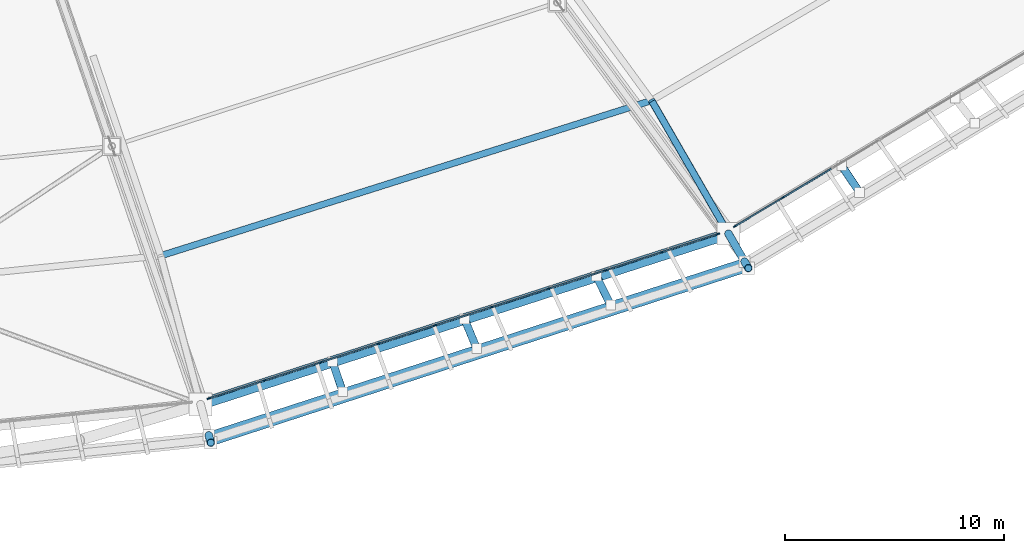
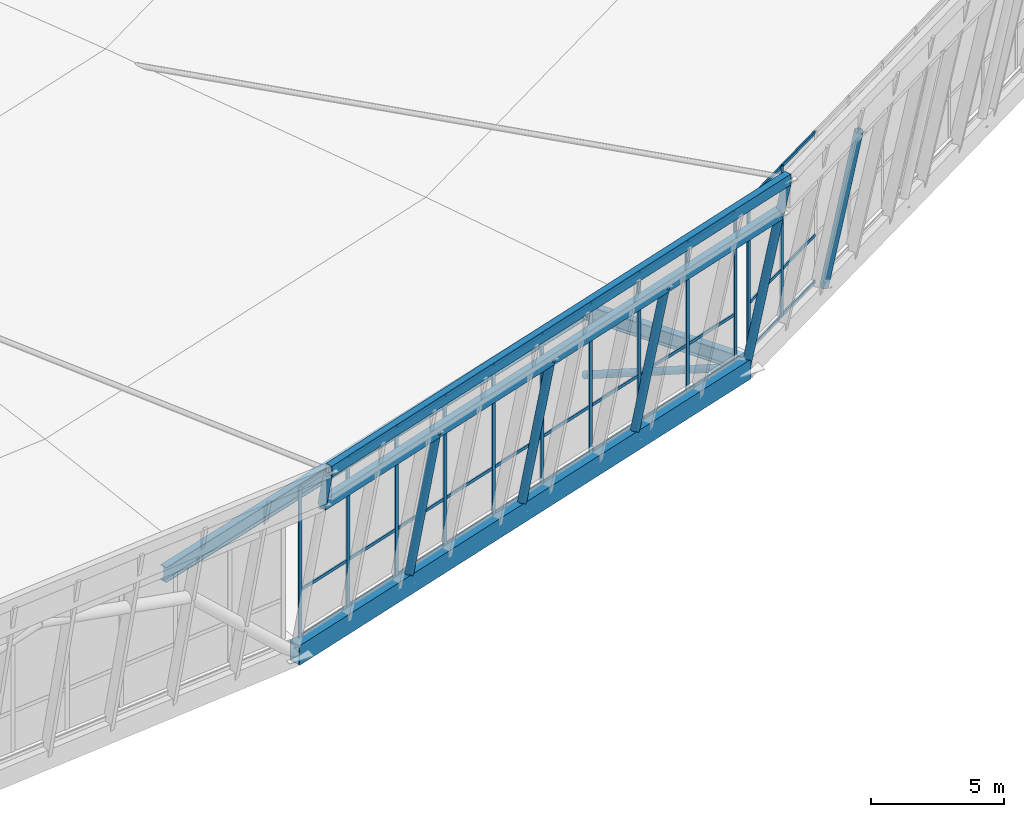
# One storey, part 35 of 115: 53 members, 5 beams, 2 elements without a shape of their own.
"""IFC4 building model written with IfcOpenShell, lengths in metres."""

from ifc_helpers import new_model, si_unit, direction, frame, origin, origin_2d, place, context, subcontext, project, spatial, rectangle, hollow_rectangle, hollow_circle, i_section, extrude, material, material_profile, profile_set, type_object, element, aggregate, save


model = new_model("IFC4")

# Units and contexts
model_context = context("Model", 3, precision=1e-05, world=origin(), true_north=direction((0.0, 1.0)))
body_context = subcontext(model_context, "Body", "Model", "MODEL_VIEW")
ifc_project = project(units=[si_unit("LENGTHUNIT", "METRE"), si_unit("AREAUNIT", "SQUARE_METRE"), si_unit("VOLUMEUNIT", "CUBIC_METRE"), si_unit("PLANEANGLEUNIT", "RADIAN"), si_unit("MASSUNIT", "GRAM", prefix="KILO")], contexts=[model_context])

# Site, building, storey
site_placement = place(None, origin())
site = spatial("IfcSite", under=ifc_project, at=site_placement, CompositionType="ELEMENT")
building_placement = place(site_placement, origin())
building = spatial("IfcBuilding", under=site, at=building_placement, Name="Zlatoyarsky Gate Stadium", CompositionType="ELEMENT")
storey_placement = place(building_placement, frame((0.0, 0.0, 31.800048828125)))
storey = spatial("IfcBuildingStorey", under=building, at=storey_placement, Name="RF", CompositionType="ELEMENT", Elevation=31.800048828125)

# Curtain wall, members
ifc_material_1 = material(Name="Thermally broken anodised aluminium curtain wall", Category="aluminium")
curtain_wall_type = type_object("IfcCurtainWallType", Name="UNITISED SKYBOX RING GLAZING L05", PredefinedType="USERDEFINED", material=ifc_material_1)
curtain_wall_1_placement = place(storey_placement, origin())
curtain_wall_1 = element("IfcCurtainWall", 1, at=curtain_wall_1_placement, inside=storey, type_object=curtain_wall_type, Name="Curtain wall CW-RF-19", ObjectType="UNITISED GLAZING", PredefinedType="USERDEFINED")
ifc_material_2 = material(Name="Anodised aluminium 6063-T6", Category="aluminium")
ifc_material_profile_1 = material_profile(ifc_material_2, rectangle(XDim=0.06494140625, YDim=0.159912109375, at=origin_2d()), Name="ALU 65X160")
ifc_profile_set_1 = profile_set([ifc_material_profile_1], Name="Anodised aluminium 6063-T6")
member_type_1 = type_object("IfcMemberType", Name="ALUMINIUM MULLION 65X160", PredefinedType="MULLION", material=ifc_profile_set_1)
member_1_placement = place(storey_placement, frame((137.264404296875, 4.899169921875, 0.0), z_axis=(0.0, 0.0, 1.0), x_axis=(-0.307352182475, 0.951595836439, 0.0)))
member_1 = element("IfcMember", 2, at=member_1_placement, type_object=member_type_1, Name="CW-UG5 mullion 1", PredefinedType="MULLION", context=body_context, shape_type="SweptSolid", body=[
    extrude(rectangle(XDim=0.06494140625, YDim=0.159912109375, at=origin_2d()), origin(), (0.0, 0.0, 1.0), 6.89990234375),
])
member_2_placement = place(storey_placement, frame((139.82568359375, 5.7265625, 0.0), z_axis=(0.0, 0.0, 1.0), x_axis=(-0.307352182475, 0.951595836439, 0.0)))
member_2 = element("IfcMember", 3, at=member_2_placement, type_object=member_type_1, Name="CW-UG5 mullion 2", PredefinedType="MULLION", context=body_context, shape_type="SweptSolid", body=[
    extrude(rectangle(XDim=0.06494140625, YDim=0.159912109375, at=origin_2d()), origin(), (0.0, 0.0, 1.0), 6.89990234375),
])
member_3_placement = place(storey_placement, frame((142.417724609375, 6.563720703125, 0.0), z_axis=(0.0, 0.0, 1.0), x_axis=(-0.307352182475, 0.951595836439, 0.0)))
member_3 = element("IfcMember", 4, at=member_3_placement, type_object=member_type_1, Name="CW-UG5 mullion 3", PredefinedType="MULLION", context=body_context, shape_type="SweptSolid", body=[
    extrude(rectangle(XDim=0.06494140625, YDim=0.159912109375, at=origin_2d()), origin(), (0.0, 0.0, 1.0), 6.89990234375),
])
member_4_placement = place(storey_placement, frame((145.010009765625, 7.401123046875, 0.0), z_axis=(0.0, 0.0, 1.0), x_axis=(-0.307352182475, 0.951595836439, 0.0)))
member_4 = element("IfcMember", 5, at=member_4_placement, type_object=member_type_1, Name="CW-UG5 mullion 4", PredefinedType="MULLION", context=body_context, shape_type="SweptSolid", body=[
    extrude(rectangle(XDim=0.06494140625, YDim=0.159912109375, at=origin_2d()), origin(), (0.0, 0.0, 1.0), 6.89990234375),
])
member_5_placement = place(storey_placement, frame((147.602294921875, 8.23828125, 0.0), z_axis=(0.0, 0.0, 1.0), x_axis=(-0.307352182475, 0.951595836439, 0.0)))
member_5 = element("IfcMember", 6, at=member_5_placement, type_object=member_type_1, Name="CW-UG5 mullion 5", PredefinedType="MULLION", context=body_context, shape_type="SweptSolid", body=[
    extrude(rectangle(XDim=0.06494140625, YDim=0.159912109375, at=origin_2d()), origin(), (0.0, 0.0, 1.0), 6.89990234375),
])
member_6_placement = place(storey_placement, frame((150.1943359375, 9.075439453125, 0.0), z_axis=(0.0, 0.0, 1.0), x_axis=(-0.307352182475, 0.951595836439, 0.0)))
member_6 = element("IfcMember", 7, at=member_6_placement, type_object=member_type_1, Name="CW-UG5 mullion 6", PredefinedType="MULLION", context=body_context, shape_type="SweptSolid", body=[
    extrude(rectangle(XDim=0.06494140625, YDim=0.159912109375, at=origin_2d()), origin(), (0.0, 0.0, 1.0), 6.89990234375),
])
member_7_placement = place(storey_placement, frame((152.78662109375, 9.912841796875, 0.0), z_axis=(0.0, 0.0, 1.0), x_axis=(-0.307352182475, 0.951595836439, 0.0)))
member_7 = element("IfcMember", 8, at=member_7_placement, type_object=member_type_1, Name="CW-UG5 mullion 7", PredefinedType="MULLION", context=body_context, shape_type="SweptSolid", body=[
    extrude(rectangle(XDim=0.06494140625, YDim=0.159912109375, at=origin_2d()), origin(), (0.0, 0.0, 1.0), 6.89990234375),
])
member_8_placement = place(storey_placement, frame((155.37890625, 10.75, 0.0), z_axis=(0.0, 0.0, 1.0), x_axis=(-0.307352182475, 0.951595836439, 0.0)))
member_8 = element("IfcMember", 9, at=member_8_placement, type_object=member_type_1, Name="CW-UG5 mullion 8", PredefinedType="MULLION", context=body_context, shape_type="SweptSolid", body=[
    extrude(rectangle(XDim=0.06494140625, YDim=0.159912109375, at=origin_2d()), origin(), (0.0, 0.0, 1.0), 6.89990234375),
])
member_9_placement = place(storey_placement, frame((157.970947265625, 11.587158203125, 0.0), z_axis=(0.0, 0.0, 1.0), x_axis=(-0.307352182475, 0.951595836439, 0.0)))
member_9 = element("IfcMember", 10, at=member_9_placement, type_object=member_type_1, Name="CW-UG5 mullion 9", PredefinedType="MULLION", context=body_context, shape_type="SweptSolid", body=[
    extrude(rectangle(XDim=0.06494140625, YDim=0.159912109375, at=origin_2d()), origin(), (0.0, 0.0, 1.0), 6.89990234375),
])
member_10_placement = place(storey_placement, frame((160.5322265625, 12.41455078125, 0.0), z_axis=(0.0, 0.0, 1.0), x_axis=(-0.307352182475, 0.951595836439, 0.0)))
member_10 = element("IfcMember", 11, at=member_10_placement, type_object=member_type_1, Name="CW-UG5 mullion 10", PredefinedType="MULLION", context=body_context, shape_type="SweptSolid", body=[
    extrude(rectangle(XDim=0.06494140625, YDim=0.159912109375, at=origin_2d()), origin(), (0.0, 0.0, 1.0), 6.89990234375),
])

curtain_wall_2_placement = place(storey_placement, origin())
curtain_wall_2 = element("IfcCurtainWall", 12, at=curtain_wall_2_placement, inside=storey, type_object=curtain_wall_type, Name="Curtain wall CW-RF-20", ObjectType="UNITISED GLAZING", PredefinedType="USERDEFINED")
member_11_placement = place(storey_placement, frame((161.31494140625, 12.76953125, 0.0), z_axis=(0.0, 0.0, 1.0), x_axis=(-0.513435995817, 0.858127891517, 0.0)))
member_11 = element("IfcMember", 13, at=member_11_placement, type_object=member_type_1, Name="CW-UG5 mullion 1", PredefinedType="MULLION", context=body_context, shape_type="SweptSolid", body=[
    extrude(rectangle(XDim=0.06494140625, YDim=0.159912109375, at=origin_2d()), origin(), (0.0, 0.0, 1.0), 6.89990234375),
])
member_12_placement = place(storey_placement, frame((163.509521484375, 14.08251953125, 0.0), z_axis=(0.0, 0.0, 1.0), x_axis=(-0.513435995817, 0.858127891517, 0.0)))
member_12 = element("IfcMember", 14, at=member_12_placement, type_object=member_type_1, Name="CW-UG5 mullion 2", PredefinedType="MULLION", context=body_context, shape_type="SweptSolid", body=[
    extrude(rectangle(XDim=0.06494140625, YDim=0.159912109375, at=origin_2d()), origin(), (0.0, 0.0, 1.0), 6.89990234375),
])

# Member
ifc_material_profile_2 = material_profile(ifc_material_2, rectangle(XDim=0.06494140625, YDim=0.139892578125, at=origin_2d()), Name="ALU 65X140")
ifc_profile_set_2 = profile_set([ifc_material_profile_2], Name="Anodised aluminium 6063-T6")
member_type_2 = type_object("IfcMemberType", Name="ALUMINIUM TRANSOM 65X140", PredefinedType="USERDEFINED", material=ifc_profile_set_2)
member_13_placement = place(storey_placement, frame((137.295166015625, 4.9091796875, 0.032470703125), z_axis=(0.951588529008, 0.307374806157, 0.0), x_axis=(-0.307374806157, 0.951588529008, 0.0)))
member_13 = element("IfcMember", 15, at=member_13_placement, type_object=member_type_2, Name="CW-UG5 transom 1.1", ObjectType="TRANSOM", PredefinedType="USERDEFINED", context=body_context, shape_type="SweptSolid", body=[
    extrude(rectangle(XDim=0.06494140625, YDim=0.139892578125, at=origin_2d()), origin(), (0.0, 0.0, 1.0), 2.626708984375),
])

member_14_placement = place(storey_placement, frame((137.295166015625, 4.9091796875, 2.14990234375), z_axis=(0.951588529008, 0.307374806157, 0.0), x_axis=(-0.307374806157, 0.951588529008, 0.0)))
member_14 = element("IfcMember", 16, at=member_14_placement, type_object=member_type_2, Name="CW-UG5 transom 1.2", ObjectType="TRANSOM", PredefinedType="USERDEFINED", context=body_context, shape_type="SweptSolid", body=[
    extrude(rectangle(XDim=0.06494140625, YDim=0.139892578125, at=origin_2d()), origin(), (0.0, 0.0, 1.0), 2.626708984375),
])

member_15_placement = place(storey_placement, frame((137.295166015625, 4.9091796875, 6.867431640625), z_axis=(0.951588529008, 0.307374806157, 0.0), x_axis=(-0.307374806157, 0.951588529008, 0.0)))
member_15 = element("IfcMember", 17, at=member_15_placement, type_object=member_type_2, Name="CW-UG5 transom 1.3", ObjectType="TRANSOM", PredefinedType="USERDEFINED", context=body_context, shape_type="SweptSolid", body=[
    extrude(rectangle(XDim=0.06494140625, YDim=0.139892578125, at=origin_2d()), origin(), (0.0, 0.0, 1.0), 2.626708984375),
])

member_16_placement = place(storey_placement, frame((139.8564453125, 5.736572265625, 0.032470703125), z_axis=(0.951615985175, 0.307289792801, 0.0), x_axis=(-0.307289792801, 0.951615985175, 0.0)))
member_16 = element("IfcMember", 18, at=member_16_placement, type_object=member_type_2, Name="CW-UG5 transom 2.1", ObjectType="TRANSOM", PredefinedType="USERDEFINED", context=body_context, shape_type="SweptSolid", body=[
    extrude(rectangle(XDim=0.06494140625, YDim=0.139892578125, at=origin_2d()), origin(), (0.0, 0.0, 1.0), 2.6591796875),
])

member_17_placement = place(storey_placement, frame((139.8564453125, 5.736572265625, 2.14990234375), z_axis=(0.951615985175, 0.307289792801, 0.0), x_axis=(-0.307289792801, 0.951615985175, 0.0)))
member_17 = element("IfcMember", 19, at=member_17_placement, type_object=member_type_2, Name="CW-UG5 transom 2.2", ObjectType="TRANSOM", PredefinedType="USERDEFINED", context=body_context, shape_type="SweptSolid", body=[
    extrude(rectangle(XDim=0.06494140625, YDim=0.139892578125, at=origin_2d()), origin(), (0.0, 0.0, 1.0), 2.6591796875),
])

member_18_placement = place(storey_placement, frame((139.8564453125, 5.736572265625, 6.867431640625), z_axis=(0.951615985175, 0.307289792801, 0.0), x_axis=(-0.307289792801, 0.951615985175, 0.0)))
member_18 = element("IfcMember", 20, at=member_18_placement, type_object=member_type_2, Name="CW-UG5 transom 2.3", ObjectType="TRANSOM", PredefinedType="USERDEFINED", context=body_context, shape_type="SweptSolid", body=[
    extrude(rectangle(XDim=0.06494140625, YDim=0.139892578125, at=origin_2d()), origin(), (0.0, 0.0, 1.0), 2.6591796875),
])

member_19_placement = place(storey_placement, frame((142.44873046875, 6.57373046875, 0.032470703125), z_axis=(0.951580459921, 0.307399785779, 0.0), x_axis=(-0.307399785779, 0.951580459921, 0.0)))
member_19 = element("IfcMember", 21, at=member_19_placement, type_object=member_type_2, Name="CW-UG5 transom 3.1", ObjectType="TRANSOM", PredefinedType="USERDEFINED", context=body_context, shape_type="SweptSolid", body=[
    extrude(rectangle(XDim=0.06494140625, YDim=0.139892578125, at=origin_2d()), origin(), (0.0, 0.0, 1.0), 2.658935546875),
])

member_20_placement = place(storey_placement, frame((142.44873046875, 6.57373046875, 2.14990234375), z_axis=(0.951580459921, 0.307399785779, 0.0), x_axis=(-0.307399785779, 0.951580459921, 0.0)))
member_20 = element("IfcMember", 22, at=member_20_placement, type_object=member_type_2, Name="CW-UG5 transom 3.2", ObjectType="TRANSOM", PredefinedType="USERDEFINED", context=body_context, shape_type="SweptSolid", body=[
    extrude(rectangle(XDim=0.06494140625, YDim=0.139892578125, at=origin_2d()), origin(), (0.0, 0.0, 1.0), 2.658935546875),
])

member_21_placement = place(storey_placement, frame((142.44873046875, 6.57373046875, 6.867431640625), z_axis=(0.951580459921, 0.307399785779, 0.0), x_axis=(-0.307399785779, 0.951580459921, 0.0)))
member_21 = element("IfcMember", 23, at=member_21_placement, type_object=member_type_2, Name="CW-UG5 transom 3.3", ObjectType="TRANSOM", PredefinedType="USERDEFINED", context=body_context, shape_type="SweptSolid", body=[
    extrude(rectangle(XDim=0.06494140625, YDim=0.139892578125, at=origin_2d()), origin(), (0.0, 0.0, 1.0), 2.658935546875),
])

member_22_placement = place(storey_placement, frame((145.041015625, 7.4111328125, 0.032470703125), z_axis=(0.951607314646, 0.307316642428, 0.0), x_axis=(-0.307316642428, 0.951607314646, 0.0)))
member_22 = element("IfcMember", 24, at=member_22_placement, type_object=member_type_2, Name="CW-UG5 transom 4.1", ObjectType="TRANSOM", PredefinedType="USERDEFINED", context=body_context, shape_type="SweptSolid", body=[
    extrude(rectangle(XDim=0.06494140625, YDim=0.139892578125, at=origin_2d()), origin(), (0.0, 0.0, 1.0), 2.658935546875),
])

member_23_placement = place(storey_placement, frame((145.041015625, 7.4111328125, 2.14990234375), z_axis=(0.951607314646, 0.307316642428, 0.0), x_axis=(-0.307316642428, 0.951607314646, 0.0)))
member_23 = element("IfcMember", 25, at=member_23_placement, type_object=member_type_2, Name="CW-UG5 transom 4.2", ObjectType="TRANSOM", PredefinedType="USERDEFINED", context=body_context, shape_type="SweptSolid", body=[
    extrude(rectangle(XDim=0.06494140625, YDim=0.139892578125, at=origin_2d()), origin(), (0.0, 0.0, 1.0), 2.658935546875),
])

member_24_placement = place(storey_placement, frame((145.041015625, 7.4111328125, 6.867431640625), z_axis=(0.951607314646, 0.307316642428, 0.0), x_axis=(-0.307316642428, 0.951607314646, 0.0)))
member_24 = element("IfcMember", 26, at=member_24_placement, type_object=member_type_2, Name="CW-UG5 transom 4.3", ObjectType="TRANSOM", PredefinedType="USERDEFINED", context=body_context, shape_type="SweptSolid", body=[
    extrude(rectangle(XDim=0.06494140625, YDim=0.139892578125, at=origin_2d()), origin(), (0.0, 0.0, 1.0), 2.658935546875),
])

member_25_placement = place(storey_placement, frame((147.633056640625, 8.248291015625, 0.032470703125), z_axis=(0.951615985175, 0.307289792801, 0.0), x_axis=(-0.307289792801, 0.951615985175, 0.0)))
member_25 = element("IfcMember", 27, at=member_25_placement, type_object=member_type_2, Name="CW-UG5 transom 5.1", ObjectType="TRANSOM", PredefinedType="USERDEFINED", context=body_context, shape_type="SweptSolid", body=[
    extrude(rectangle(XDim=0.06494140625, YDim=0.139892578125, at=origin_2d()), origin(), (0.0, 0.0, 1.0), 2.6591796875),
])

member_26_placement = place(storey_placement, frame((147.633056640625, 8.248291015625, 2.14990234375), z_axis=(0.951615985175, 0.307289792801, 0.0), x_axis=(-0.307289792801, 0.951615985175, 0.0)))
member_26 = element("IfcMember", 28, at=member_26_placement, type_object=member_type_2, Name="CW-UG5 transom 5.2", ObjectType="TRANSOM", PredefinedType="USERDEFINED", context=body_context, shape_type="SweptSolid", body=[
    extrude(rectangle(XDim=0.06494140625, YDim=0.139892578125, at=origin_2d()), origin(), (0.0, 0.0, 1.0), 2.6591796875),
])

member_27_placement = place(storey_placement, frame((147.633056640625, 8.248291015625, 6.867431640625), z_axis=(0.951615985175, 0.307289792801, 0.0), x_axis=(-0.307289792801, 0.951615985175, 0.0)))
member_27 = element("IfcMember", 29, at=member_27_placement, type_object=member_type_2, Name="CW-UG5 transom 5.3", ObjectType="TRANSOM", PredefinedType="USERDEFINED", context=body_context, shape_type="SweptSolid", body=[
    extrude(rectangle(XDim=0.06494140625, YDim=0.139892578125, at=origin_2d()), origin(), (0.0, 0.0, 1.0), 2.6591796875),
])

member_28_placement = place(storey_placement, frame((150.225341796875, 9.08544921875, 0.032470703125), z_axis=(0.951580459921, 0.307399785779, 0.0), x_axis=(-0.307399785779, 0.951580459921, 0.0)))
member_28 = element("IfcMember", 30, at=member_28_placement, type_object=member_type_2, Name="CW-UG5 transom 6.1", ObjectType="TRANSOM", PredefinedType="USERDEFINED", context=body_context, shape_type="SweptSolid", body=[
    extrude(rectangle(XDim=0.06494140625, YDim=0.139892578125, at=origin_2d()), origin(), (0.0, 0.0, 1.0), 2.658935546875),
])

member_29_placement = place(storey_placement, frame((150.225341796875, 9.08544921875, 2.14990234375), z_axis=(0.951580459921, 0.307399785779, 0.0), x_axis=(-0.307399785779, 0.951580459921, 0.0)))
member_29 = element("IfcMember", 31, at=member_29_placement, type_object=member_type_2, Name="CW-UG5 transom 6.2", ObjectType="TRANSOM", PredefinedType="USERDEFINED", context=body_context, shape_type="SweptSolid", body=[
    extrude(rectangle(XDim=0.06494140625, YDim=0.139892578125, at=origin_2d()), origin(), (0.0, 0.0, 1.0), 2.658935546875),
])

member_30_placement = place(storey_placement, frame((150.225341796875, 9.08544921875, 6.867431640625), z_axis=(0.951580459921, 0.307399785779, 0.0), x_axis=(-0.307399785779, 0.951580459921, 0.0)))
member_30 = element("IfcMember", 32, at=member_30_placement, type_object=member_type_2, Name="CW-UG5 transom 6.3", ObjectType="TRANSOM", PredefinedType="USERDEFINED", context=body_context, shape_type="SweptSolid", body=[
    extrude(rectangle(XDim=0.06494140625, YDim=0.139892578125, at=origin_2d()), origin(), (0.0, 0.0, 1.0), 2.658935546875),
])

member_31_placement = place(storey_placement, frame((152.817626953125, 9.9228515625, 0.032470703125), z_axis=(0.951607314646, 0.307316642428, 0.0), x_axis=(-0.307316642428, 0.951607314646, 0.0)))
member_31 = element("IfcMember", 33, at=member_31_placement, type_object=member_type_2, Name="CW-UG5 transom 7.1", ObjectType="TRANSOM", PredefinedType="USERDEFINED", context=body_context, shape_type="SweptSolid", body=[
    extrude(rectangle(XDim=0.06494140625, YDim=0.139892578125, at=origin_2d()), origin(), (0.0, 0.0, 1.0), 2.658935546875),
])

member_32_placement = place(storey_placement, frame((152.817626953125, 9.9228515625, 2.14990234375), z_axis=(0.951607314646, 0.307316642428, 0.0), x_axis=(-0.307316642428, 0.951607314646, 0.0)))
member_32 = element("IfcMember", 34, at=member_32_placement, type_object=member_type_2, Name="CW-UG5 transom 7.2", ObjectType="TRANSOM", PredefinedType="USERDEFINED", context=body_context, shape_type="SweptSolid", body=[
    extrude(rectangle(XDim=0.06494140625, YDim=0.139892578125, at=origin_2d()), origin(), (0.0, 0.0, 1.0), 2.658935546875),
])

member_33_placement = place(storey_placement, frame((152.817626953125, 9.9228515625, 6.867431640625), z_axis=(0.951607314646, 0.307316642428, 0.0), x_axis=(-0.307316642428, 0.951607314646, 0.0)))
member_33 = element("IfcMember", 35, at=member_33_placement, type_object=member_type_2, Name="CW-UG5 transom 7.3", ObjectType="TRANSOM", PredefinedType="USERDEFINED", context=body_context, shape_type="SweptSolid", body=[
    extrude(rectangle(XDim=0.06494140625, YDim=0.139892578125, at=origin_2d()), origin(), (0.0, 0.0, 1.0), 2.658935546875),
])

member_34_placement = place(storey_placement, frame((155.40966796875, 10.760009765625, 0.032470703125), z_axis=(0.951615985175, 0.307289792801, 0.0), x_axis=(-0.307289792801, 0.951615985175, 0.0)))
member_34 = element("IfcMember", 36, at=member_34_placement, type_object=member_type_2, Name="CW-UG5 transom 8.1", ObjectType="TRANSOM", PredefinedType="USERDEFINED", context=body_context, shape_type="SweptSolid", body=[
    extrude(rectangle(XDim=0.06494140625, YDim=0.139892578125, at=origin_2d()), origin(), (0.0, 0.0, 1.0), 2.6591796875),
])

member_35_placement = place(storey_placement, frame((155.40966796875, 10.760009765625, 2.14990234375), z_axis=(0.951615985175, 0.307289792801, 0.0), x_axis=(-0.307289792801, 0.951615985175, 0.0)))
member_35 = element("IfcMember", 37, at=member_35_placement, type_object=member_type_2, Name="CW-UG5 transom 8.2", ObjectType="TRANSOM", PredefinedType="USERDEFINED", context=body_context, shape_type="SweptSolid", body=[
    extrude(rectangle(XDim=0.06494140625, YDim=0.139892578125, at=origin_2d()), origin(), (0.0, 0.0, 1.0), 2.6591796875),
])

member_36_placement = place(storey_placement, frame((155.40966796875, 10.760009765625, 6.867431640625), z_axis=(0.951615985175, 0.307289792801, 0.0), x_axis=(-0.307289792801, 0.951615985175, 0.0)))
member_36 = element("IfcMember", 38, at=member_36_placement, type_object=member_type_2, Name="CW-UG5 transom 8.3", ObjectType="TRANSOM", PredefinedType="USERDEFINED", context=body_context, shape_type="SweptSolid", body=[
    extrude(rectangle(XDim=0.06494140625, YDim=0.139892578125, at=origin_2d()), origin(), (0.0, 0.0, 1.0), 2.6591796875),
])

member_37_placement = place(storey_placement, frame((158.001953125, 11.59716796875, 0.032470703125), z_axis=(0.951588529008, 0.307374806157, 0.0), x_axis=(-0.307374806157, 0.951588529008, 0.0)))
member_37 = element("IfcMember", 39, at=member_37_placement, type_object=member_type_2, Name="CW-UG5 transom 9.1", ObjectType="TRANSOM", PredefinedType="USERDEFINED", context=body_context, shape_type="SweptSolid", body=[
    extrude(rectangle(XDim=0.06494140625, YDim=0.139892578125, at=origin_2d()), origin(), (0.0, 0.0, 1.0), 2.626708984375),
])

member_38_placement = place(storey_placement, frame((158.001953125, 11.59716796875, 2.14990234375), z_axis=(0.951588529008, 0.307374806157, 0.0), x_axis=(-0.307374806157, 0.951588529008, 0.0)))
member_38 = element("IfcMember", 40, at=member_38_placement, type_object=member_type_2, Name="CW-UG5 transom 9.2", ObjectType="TRANSOM", PredefinedType="USERDEFINED", context=body_context, shape_type="SweptSolid", body=[
    extrude(rectangle(XDim=0.06494140625, YDim=0.139892578125, at=origin_2d()), origin(), (0.0, 0.0, 1.0), 2.626708984375),
])

member_39_placement = place(storey_placement, frame((158.001953125, 11.59716796875, 6.867431640625), z_axis=(0.951588529008, 0.307374806157, 0.0), x_axis=(-0.307374806157, 0.951588529008, 0.0)))
member_39 = element("IfcMember", 41, at=member_39_placement, type_object=member_type_2, Name="CW-UG5 transom 9.3", ObjectType="TRANSOM", PredefinedType="USERDEFINED", context=body_context, shape_type="SweptSolid", body=[
    extrude(rectangle(XDim=0.06494140625, YDim=0.139892578125, at=origin_2d()), origin(), (0.0, 0.0, 1.0), 2.626708984375),
])

aggregate(curtain_wall_1, [member_1, member_2, member_3, member_4, member_5, member_6, member_7, member_8, member_9, member_10, member_13, member_14, member_15, member_16, member_17, member_18, member_19, member_20, member_21, member_22, member_23, member_24, member_25, member_26, member_27, member_28, member_29, member_30, member_31, member_32, member_33, member_34, member_35, member_36, member_37, member_38, member_39])

member_40_placement = place(storey_placement, frame((161.3427734375, 12.7861328125, 0.032470703125), z_axis=(0.858140517971, 0.513414892087, 0.0), x_axis=(-0.513414892087, 0.858140517971, 0.0)))
member_40 = element("IfcMember", 42, at=member_40_placement, type_object=member_type_2, Name="CW-UG5 transom 1.1", ObjectType="TRANSOM", PredefinedType="USERDEFINED", context=body_context, shape_type="SweptSolid", body=[
    extrude(rectangle(XDim=0.06494140625, YDim=0.139892578125, at=origin_2d()), origin(), (0.0, 0.0, 1.0), 2.4921875),
])

member_41_placement = place(storey_placement, frame((161.3427734375, 12.7861328125, 2.14990234375), z_axis=(0.858140517971, 0.513414892087, 0.0), x_axis=(-0.513414892087, 0.858140517971, 0.0)))
member_41 = element("IfcMember", 43, at=member_41_placement, type_object=member_type_2, Name="CW-UG5 transom 1.2", ObjectType="TRANSOM", PredefinedType="USERDEFINED", context=body_context, shape_type="SweptSolid", body=[
    extrude(rectangle(XDim=0.06494140625, YDim=0.139892578125, at=origin_2d()), origin(), (0.0, 0.0, 1.0), 2.4921875),
])

member_42_placement = place(storey_placement, frame((161.3427734375, 12.7861328125, 6.867431640625), z_axis=(0.858140517971, 0.513414892087, 0.0), x_axis=(-0.513414892087, 0.858140517971, 0.0)))
member_42 = element("IfcMember", 44, at=member_42_placement, type_object=member_type_2, Name="CW-UG5 transom 1.3", ObjectType="TRANSOM", PredefinedType="USERDEFINED", context=body_context, shape_type="SweptSolid", body=[
    extrude(rectangle(XDim=0.06494140625, YDim=0.139892578125, at=origin_2d()), origin(), (0.0, 0.0, 1.0), 2.4921875),
])

member_43_placement = place(storey_placement, frame((163.537353515625, 14.09912109375, 0.032470703125), z_axis=(0.858106637298, 0.513471517248, 0.0), x_axis=(-0.513471517248, 0.858106637298, 0.0)))
member_43 = element("IfcMember", 45, at=member_43_placement, type_object=member_type_2, Name="CW-UG5 transom 2.1", ObjectType="TRANSOM", PredefinedType="USERDEFINED", context=body_context, shape_type="SweptSolid", body=[
    extrude(rectangle(XDim=0.06494140625, YDim=0.139892578125, at=origin_2d()), origin(), (0.0, 0.0, 1.0), 2.524658203125),
])

member_44_placement = place(storey_placement, frame((163.537353515625, 14.09912109375, 2.14990234375), z_axis=(0.858106637298, 0.513471517248, 0.0), x_axis=(-0.513471517248, 0.858106637298, 0.0)))
member_44 = element("IfcMember", 46, at=member_44_placement, type_object=member_type_2, Name="CW-UG5 transom 2.2", ObjectType="TRANSOM", PredefinedType="USERDEFINED", context=body_context, shape_type="SweptSolid", body=[
    extrude(rectangle(XDim=0.06494140625, YDim=0.139892578125, at=origin_2d()), origin(), (0.0, 0.0, 1.0), 2.524658203125),
])

member_45_placement = place(storey_placement, frame((163.537353515625, 14.09912109375, 6.867431640625), z_axis=(0.858106637298, 0.513471517248, 0.0), x_axis=(-0.513471517248, 0.858106637298, 0.0)))
member_45 = element("IfcMember", 47, at=member_45_placement, type_object=member_type_2, Name="CW-UG5 transom 2.3", ObjectType="TRANSOM", PredefinedType="USERDEFINED", context=body_context, shape_type="SweptSolid", body=[
    extrude(rectangle(XDim=0.06494140625, YDim=0.139892578125, at=origin_2d()), origin(), (0.0, 0.0, 1.0), 2.524658203125),
])

aggregate(curtain_wall_2, [member_11, member_12, member_40, member_41, member_42, member_43, member_44, member_45])

# Members
ifc_material_3 = material(Name="Steel S355", Category="steel")
ifc_material_profile_3 = material_profile(ifc_material_3, hollow_circle(Radius=0.177734375, WallThickness=0.02001953125, at=origin_2d()), Name="CHS 355.6X20")
ifc_profile_set_3 = profile_set([ifc_material_profile_3], Name="Steel S355")
member_type_3 = type_object("IfcMemberType", Name="STEEL LEANING RIB RING STRUT CHS 355.6X20", PredefinedType="STRUT", material=ifc_profile_set_3)
member_46_placement = place(storey_placement, frame((137.268798828125, 3.21337890625, 7.14990234375), z_axis=(0.052053505922, -0.194145508575, 0.979590707398), x_axis=(0.965885549343, 0.258969313954, 0.0)))
element("IfcMember", 48, at=member_46_placement, inside=storey, type_object=member_type_3, Name="Outward-leaning crown fascia upper post 19", PredefinedType="STRUT", context=body_context, shape_type="SweptSolid", body=[
    extrude(hollow_circle(Radius=0.177734375, WallThickness=0.02001953125, at=origin_2d()), origin(), (0.0, 0.0, 1.0), 1.7353515625),
])
member_47_placement = place(storey_placement, frame((142.920166015625, 6.579833984375, -0.449951171875), z_axis=(0.060542035994, -0.178471233777, 0.982080791275), x_axis=(0.946995980131, 0.321245410265, 0.0)))
element("IfcMember", 49, at=member_47_placement, inside=storey, type_object=member_type_3, Name="Outward-leaning bowl louvre fin rib RF 19-1", PredefinedType="STRUT", context=body_context, shape_type="SweptSolid", body=[
    extrude(hollow_circle(Radius=0.177734375, WallThickness=0.02001953125, at=origin_2d()), origin(), (0.0, 0.0, 1.0), 7.738525390625),
])
member_48_placement = place(storey_placement, frame((148.951416015625, 8.528564453125, -0.449951171875), z_axis=(0.071968203626, -0.173752256627, 0.982156164255), x_axis=(0.923883926907, 0.382672823184, 0.0)))
element("IfcMember", 50, at=member_48_placement, inside=storey, type_object=member_type_3, Name="Outward-leaning bowl louvre fin rib RF 19-2", PredefinedType="STRUT", context=body_context, shape_type="SweptSolid", body=[
    extrude(hollow_circle(Radius=0.177734375, WallThickness=0.02001953125, at=origin_2d()), origin(), (0.0, 0.0, 1.0), 7.738037109375),
])
member_49_placement = place(storey_placement, frame((154.982666015625, 10.477294921875, -0.449951171875), z_axis=(0.08338382424, -0.16897607364, 0.982086668473), x_axis=(0.896758934968, 0.442519392293, 0.0)))
element("IfcMember", 51, at=member_49_placement, inside=storey, type_object=member_type_3, Name="Outward-leaning bowl louvre fin rib RF 19-3", PredefinedType="STRUT", context=body_context, shape_type="SweptSolid", body=[
    extrude(hollow_circle(Radius=0.177734375, WallThickness=0.02001953125, at=origin_2d()), origin(), (0.0, 0.0, 1.0), 7.738525390625),
])
member_50_placement = place(storey_placement, frame((161.013916015625, 12.426025390625, -0.449951171875), z_axis=(0.094814086524, -0.164205633547, 0.98185884877), x_axis=(0.86600274944, 0.500039236423, 0.0)))
element("IfcMember", 52, at=member_50_placement, inside=storey, type_object=member_type_3, Name="Outward-leaning crown fascia lower post 20", PredefinedType="STRUT", context=body_context, shape_type="SweptSolid", body=[
    extrude(hollow_circle(Radius=0.177734375, WallThickness=0.02001953125, at=origin_2d()), origin(), (0.0, 0.0, 1.0), 7.740234375),
])
member_51_placement = place(storey_placement, frame((161.747802734375, 11.155029296875, 7.14990234375), z_axis=(0.100448064705, -0.174166252247, 0.979579656218), x_axis=(0.866255472086, 0.499601298118, 0.0)))
element("IfcMember", 53, at=member_51_placement, inside=storey, type_object=member_type_3, Name="Outward-leaning crown fascia upper post 20", PredefinedType="STRUT", context=body_context, shape_type="SweptSolid", body=[
    extrude(hollow_circle(Radius=0.177734375, WallThickness=0.02001953125, at=origin_2d()), origin(), (0.0, 0.0, 1.0), 1.7353515625),
])
member_52_placement = place(storey_placement, frame((166.19287109375, 15.526123046875, -0.449951171875), z_axis=(0.104647731087, -0.156703430904, 0.982085987641), x_axis=(0.831612147904, 0.555356854157, 0.0)))
element("IfcMember", 54, at=member_52_placement, inside=storey, type_object=member_type_3, Name="Outward-leaning bowl louvre fin rib RF 20-1", PredefinedType="STRUT", context=body_context, shape_type="SweptSolid", body=[
    extrude(hollow_circle(Radius=0.177734375, WallThickness=0.02001953125, at=origin_2d()), origin(), (0.0, 0.0, 1.0), 7.738525390625),
])

# Beams
ifc_material_profile_4 = material_profile(ifc_material_3, hollow_rectangle(XDim=0.300048828125, YDim=0.5, WallThickness=0.02001953125, at=origin_2d()), Name="RHS 500X300X20")
ifc_profile_set_4 = profile_set([ifc_material_profile_4], Name="Steel S355")
beam_type_1 = type_object("IfcBeamType", Name="STEEL LOUVRE CARRIER SPANDREL RHS 500X300X20", PredefinedType="SPANDREL", material=ifc_profile_set_4)
beam_1_placement = place(storey_placement, frame((137.268798828125, 3.21337890625, 7.14990234375), z_axis=(0.951194147807, 0.30859308673, 0.0), x_axis=(-0.30859308673, 0.951194147807, 0.0)))
element("IfcBeam", 55, at=beam_1_placement, inside=storey, type_object=beam_type_1, Name="Crown eaves fascia bottom carrier spandrel 19", PredefinedType="SPANDREL", context=body_context, shape_type="SweptSolid", body=[
    extrude(hollow_rectangle(XDim=0.300048828125, YDim=0.5, WallThickness=0.02001953125, at=origin_2d()), origin(), (0.0, 0.0, 1.0), 25.735107421875),
])
beam_2_placement = place(storey_placement, frame((137.359130859375, 2.87646484375, 8.849853515625), z_axis=(0.951109763834, 0.308853067232, 0.0), x_axis=(-0.308853067232, 0.951109763834, 0.0)))
element("IfcBeam", 56, at=beam_2_placement, inside=storey, type_object=beam_type_1, Name="Crown fascia top carrier spandrel 19", PredefinedType="SPANDREL", context=body_context, shape_type="SweptSolid", body=[
    extrude(hollow_rectangle(XDim=0.300048828125, YDim=0.5, WallThickness=0.02001953125, at=origin_2d()), origin(), (0.0, 0.0, 1.0), 25.82568359375),
])
ifc_material_profile_5 = material_profile(ifc_material_3, hollow_rectangle(XDim=0.5, YDim=0.89990234375, WallThickness=0.028076171875, at=origin_2d()), Name="RHS 900X500X28")
ifc_profile_set_5 = profile_set([ifc_material_profile_5], Name="Steel S355")
beam_type_2 = type_object("IfcBeamType", Name="STEEL OUTER COMPRESSION RING BEAM RHS 900X500X28", PredefinedType="USERDEFINED", material=ifc_profile_set_5)
beam_3_placement = place(storey_placement, frame((136.88916015625, 4.631103515625, -0.449951171875), z_axis=(0.951561657785, 0.307457983199, 0.0), x_axis=(-0.307457983199, 0.951561657785, 0.0)))
element("IfcBeam", 57, at=beam_3_placement, inside=storey, type_object=beam_type_2, Name="Outer compression ring beam 19", ObjectType="RING BEAM", PredefinedType="USERDEFINED", context=body_context, shape_type="SweptSolid", body=[
    extrude(hollow_rectangle(XDim=0.5, YDim=0.89990234375, WallThickness=0.028076171875, at=origin_2d()), origin(), (0.0, 0.0, 1.0), 25.352783203125),
])
ifc_material_profile_6 = material_profile(ifc_material_3, i_section(OverallWidth=0.300048828125, OverallDepth=0.699951171875, WebThickness=0.01708984375, FlangeThickness=0.031982421875, FilletRadius=0.027099609375, at=origin_2d()), Name="HEB 700")
ifc_profile_set_6 = profile_set([ifc_material_profile_6], Name="Steel S355")
beam_type_3 = type_object("IfcBeamType", Name="STEEL ROOF RING GIRDER HEB 700", PredefinedType="BEAM", material=ifc_profile_set_6)
beam_4_placement = place(storey_placement, frame((135.1083984375, 11.431396484375, -0.300048828125), z_axis=(0.953465026843, 0.301503636109, 0.0), x_axis=(-0.301503636109, 0.953465026843, 0.0)))
element("IfcBeam", 58, at=beam_4_placement, inside=storey, type_object=beam_type_3, Name="RF roof tie girder BM-RF-CRC-19", PredefinedType="BEAM", context=body_context, shape_type="SweptSolid", body=[
    extrude(i_section(OverallWidth=0.300048828125, OverallDepth=0.699951171875, WebThickness=0.01708984375, FlangeThickness=0.031982421875, FilletRadius=0.027099609375, at=origin_2d()), origin(), (0.0, 0.0, 1.0), 23.444580078125),
])
beam_5_placement = place(storey_placement, frame((157.52001953125, 18.4775390625, -0.300048828125), z_axis=(0.50000573544, -0.866022092401, 0.0), x_axis=(0.866022092401, 0.50000573544, 0.0)))
element("IfcBeam", 59, at=beam_5_placement, inside=storey, type_object=beam_type_3, Name="RF roof tie girder BM-RF-COUT-20", PredefinedType="BEAM", context=body_context, shape_type="SweptSolid", body=[
    extrude(i_section(OverallWidth=0.300048828125, OverallDepth=0.699951171875, WebThickness=0.01708984375, FlangeThickness=0.031982421875, FilletRadius=0.027099609375, at=origin_2d()), origin(), (0.0, 0.0, 1.0), 6.98779296875),
])

# Member
ifc_material_profile_7 = material_profile(ifc_material_3, hollow_circle(Radius=0.161865234375, WallThickness=0.01611328125, at=origin_2d()), Name="CHS 323.9X16")
ifc_profile_set_7 = profile_set([ifc_material_profile_7], Name="Steel S355")
member_type_4 = type_object("IfcMemberType", Name="STEEL TRUSS WEB STRUT CHS 323.9X16", PredefinedType="STRUT", material=ifc_profile_set_7)
member_53_placement = place(storey_placement, frame((157.5, 18.51220703125, -3.300048828125), z_axis=(0.463352088662, -0.802536248055, 0.37581965421), x_axis=(0.866021866641, 0.500006126462, 0.0)))
element("IfcMember", 60, at=member_53_placement, inside=storey, type_object=member_type_4, Name="Arch heel prop 20", PredefinedType="STRUT", context=body_context, shape_type="SweptSolid", body=[
    extrude(hollow_circle(Radius=0.161865234375, WallThickness=0.01611328125, at=origin_2d()), origin(), (0.0, 0.0, 1.0), 7.583740234375),
])

save(model, "model.ifc")
